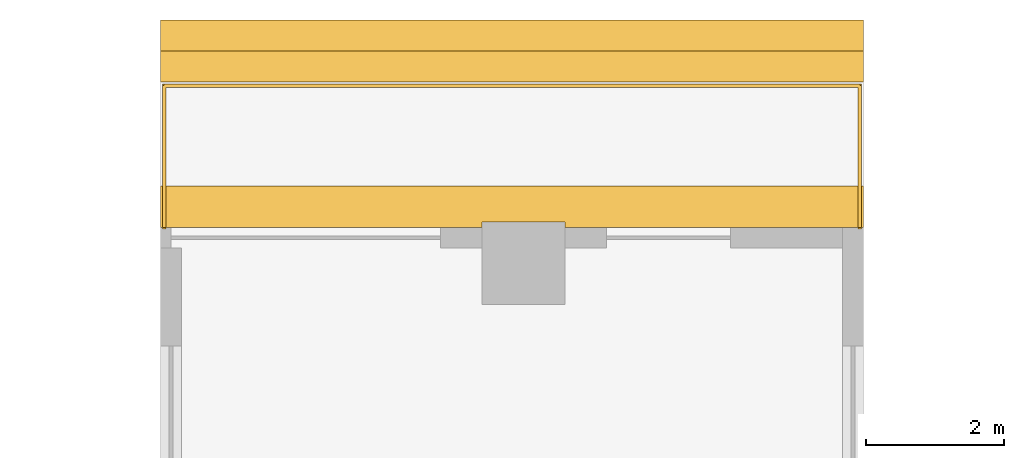
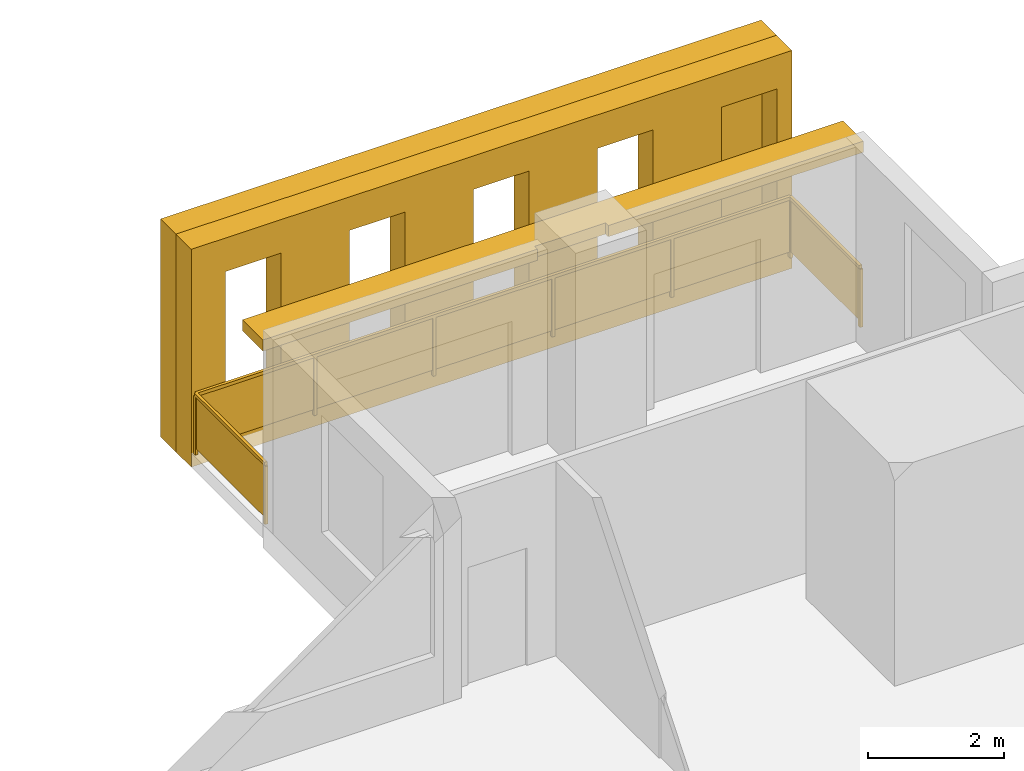
# One storey, part 16 of 16: 3 shading devices, 1 railing.
"""IFC4 building model written with IfcOpenShell, lengths in metres."""

import ifcopenshell
import ifcopenshell.guid

model = None  # the IFC model being written
_history = None  # IfcOwnerHistory: only IFC2X3 demands one
_inside = {}  # id of a spatial element -> (the spatial element, [elements in it])
_under = {}  # id of a project, library or spatial element -> (it, [spatial elements below it])
_declared = {}  # id of a project -> (the project, [libraries it declares])
_typed = {}  # id of a type object -> (the type object, [elements of that type])
_made_of = {}  # id of a material, layer set ... -> (it, [elements and type objects made of it])


def new_model(schema):
    """Start an empty IFC model of exactly this schema.

    Asked for "IFC4X3", IfcOpenShell would pick the latest addendum, in which some entities
    have other attributes; the version numbers below select the first issue.
    IFC2X3 requires an IfcOwnerHistory on every rooted entity: one is made here for all.
    """
    global model, _history
    if schema == "IFC4X3":
        model = ifcopenshell.file(schema_version=(4, 3, 0, 0))
    else:
        model = ifcopenshell.file(schema=schema)
    _inside.clear()
    _under.clear()
    _declared.clear()
    _typed.clear()
    _made_of.clear()
    _history = None
    if model.schema == "IFC2X3":
        org = make("IfcOrganization", Name="unknown")
        user = make(
            "IfcPersonAndOrganization",
            ThePerson=make("IfcPerson", FamilyName="unknown"),
            TheOrganization=org,
        )
        app = make(
            "IfcApplication",
            ApplicationDeveloper=org,
            Version="unknown",
            ApplicationFullName="unknown",
            ApplicationIdentifier="unknown",
        )
        _history = make(
            "IfcOwnerHistory",
            OwningUser=user,
            OwningApplication=app,
            ChangeAction="ADDED",
            CreationDate=0,
        )
    return model


def make(cls, **values):
    """One entity of the class cls with the attributes given. An attribute that is None is left unset."""
    return model.create_entity(
        cls, **{name: value for name, value in values.items() if value is not None}
    )


def rooted(cls, **values):
    """An entity with a GlobalId (a new one), such as an element, a storey or a relation."""
    return make(cls, GlobalId=ifcopenshell.guid.new(), OwnerHistory=_history, **values)


def si_unit(unit_type, name, prefix=None):
    """IfcSIUnit, for example si_unit("LENGTHUNIT", "METRE", prefix="MILLI")."""
    return make("IfcSIUnit", UnitType=unit_type, Prefix=prefix, Name=name)


def assignment(units):
    """IfcUnitAssignment: the units of a project."""
    return None if units is None else make("IfcUnitAssignment", Units=units)


def point(xyz):
    """IfcCartesianPoint."""
    return None if xyz is None else make("IfcCartesianPoint", Coordinates=xyz)


def direction(xyz):
    """IfcDirection."""
    return None if xyz is None else make("IfcDirection", DirectionRatios=xyz)


def frame(location, z_axis=None, x_axis=None):
    """IfcAxis2Placement3D, a coordinate frame: its origin and axes. An axis left out is left unset."""
    return make(
        "IfcAxis2Placement3D",
        Location=point(location),
        Axis=direction(z_axis),
        RefDirection=direction(x_axis),
    )


def frame_2d(location, x_axis=None):
    """IfcAxis2Placement2D, a coordinate frame in the plane: its origin and x axis."""
    return make(
        "IfcAxis2Placement2D", Location=point(location), RefDirection=direction(x_axis)
    )


def origin():
    """The frame at (0, 0, 0) with its axes left unset."""
    return frame((0.0, 0.0, 0.0))


def origin_2d():
    """The frame at (0, 0) in the plane with its x axis left unset."""
    return frame_2d((0.0, 0.0))


def place(relative_to, where):
    """IfcLocalPlacement: puts the frame where relative to a parent placement (None: the world)."""
    return make(
        "IfcLocalPlacement", PlacementRelTo=relative_to, RelativePlacement=where
    )


def context(
    kind, dimensions, precision=None, world=None, true_north=None, identifier=None
):
    """IfcGeometricRepresentationContext, for example the 3D "Model" context."""
    return make(
        "IfcGeometricRepresentationContext",
        ContextIdentifier=identifier,
        ContextType=kind,
        CoordinateSpaceDimension=dimensions,
        Precision=precision,
        WorldCoordinateSystem=world,
        TrueNorth=true_north,
    )


def subcontext(parent, identifier, kind, view, scale=None):
    """IfcGeometricRepresentationSubContext, for example "Body" below "Model"."""
    return make(
        "IfcGeometricRepresentationSubContext",
        ContextIdentifier=identifier,
        ContextType=kind,
        ParentContext=parent,
        TargetScale=scale,
        TargetView=view,
    )


def project(units=None, contexts=None):
    """IfcProject with its units and contexts."""
    return rooted(
        "IfcProject",
        Name="project",
        RepresentationContexts=contexts,
        UnitsInContext=assignment(units),
    )


def spatial(cls, under=None, at=None, **own):
    """A site, building, storey or space (cls), placed at a placement, below another one or the project."""
    s = rooted(cls, ObjectPlacement=at, **own)
    if under is not None:
        _under.setdefault(under.id(), (under, []))[1].append(s)
    return s


def polyline(points):
    """IfcPolyline through the points."""
    return make("IfcPolyline", Points=[point(p) for p in points])


def profile(cls, at=None, kind="AREA", **sizes):
    """A parametric profile (cls). Its sizes go by their IFC names, for example OverallWidth=200.0."""
    return make(cls, ProfileType=kind, Position=at, **sizes)


def rectangle(**sizes):
    """IfcRectangleProfileDef."""
    return profile("IfcRectangleProfileDef", **sizes)


def outline(outer, holes=None, kind="AREA"):
    """IfcArbitraryClosedProfileDef: a profile drawn as a closed curve; with holes, ...WithVoids."""
    if holes is None:
        return make("IfcArbitraryClosedProfileDef", ProfileType=kind, OuterCurve=outer)
    return make(
        "IfcArbitraryProfileDefWithVoids",
        ProfileType=kind,
        OuterCurve=outer,
        InnerCurves=holes,
    )


def extrude(swept, where, along, depth):
    """IfcExtrudedAreaSolid: the profile swept, set in the frame where, extruded along a direction by depth."""
    return make(
        "IfcExtrudedAreaSolid",
        SweptArea=swept,
        Position=where,
        ExtrudedDirection=direction(along),
        Depth=depth,
    )


def shape(context_of_items, identifier, shape_type, items):
    """IfcShapeRepresentation: the items that make up one representation, for example the "Body"."""
    return make(
        "IfcShapeRepresentation",
        ContextOfItems=context_of_items,
        RepresentationIdentifier=identifier,
        RepresentationType=shape_type,
        Items=items,
    )


def material(Name=None, Category=None):
    """IfcMaterial."""
    return make("IfcMaterial", Name=Name, Category=Category)


def layer(
    of_material, thickness, ventilated=None, Name=None, Category=None, Priority=None
):
    """IfcMaterialLayer: one layer of a wall or slab, of a material (None: an air gap)."""
    return make(
        "IfcMaterialLayer",
        Material=of_material,
        LayerThickness=thickness,
        IsVentilated=ventilated,
        Name=Name,
        Category=Category,
        Priority=Priority,
    )


def layer_set(layers, Name=None):
    """IfcMaterialLayerSet."""
    return make("IfcMaterialLayerSet", MaterialLayers=layers, LayerSetName=Name)


def made_of(thing, what):
    """Note that an element or type object is made of a material, layer set ...; save() writes the relation."""
    if what is not None:
        _made_of.setdefault(what.id(), (what, []))[1].append(thing)
    return thing


def type_object(cls, material=None, **own):
    """A type object (cls), such as IfcWallType, which elements share."""
    return made_of(rooted(cls, **own), material)


def element(
    cls,
    number,
    at=None,
    inside=None,
    cuts=None,
    type_object=None,
    material=None,
    context=None,
    identifier="Body",
    shape_type=None,
    held_by="IfcProductDefinitionShape",
    body=None,
    shapes=None,
    **own,
):
    """One element of the class cls, such as IfcWall. Its Tag is "e" and its number.

    at: its placement. inside: the storey or other place that contains it. cuts: it is an
    opening in that element (IfcRelVoidsElement). A single representation is given by context,
    identifier, shape_type and body (its items); several are given by shapes. held_by: the class
    of the entity that holds the representations. save() writes the other relations.
    """
    e = rooted(cls, Tag="e%d" % number, ObjectPlacement=at, **own)
    if body is not None:
        shapes = [shape(context, identifier, shape_type, body)]
    if shapes is not None:
        e.Representation = make(held_by, Representations=shapes)
    if inside is not None:
        _inside.setdefault(inside.id(), (inside, []))[1].append(e)
    if cuts is not None:
        rooted(
            "IfcRelVoidsElement", RelatingBuildingElement=cuts, RelatedOpeningElement=e
        )
    if type_object is not None:
        _typed.setdefault(type_object.id(), (type_object, []))[1].append(e)
    return made_of(e, material)


def aggregate(whole, parts):
    """IfcRelAggregates: a whole, such as a stair, and the parts it consists of."""
    return rooted("IfcRelAggregates", RelatingObject=whole, RelatedObjects=parts)


def save(model, path):
    """Write the relations noted so far, then the file.

    IfcRelAggregates (storeys below a building ...), IfcRelContainedInSpatialStructure (elements
    in a storey), IfcRelDefinesByType, IfcRelAssociatesMaterial and IfcRelDeclares: one each for
    every whole, place, type object, material and project.
    """
    for whole, parts in _under.values():
        aggregate(whole, parts)
    for where, things in _inside.values():
        rooted(
            "IfcRelContainedInSpatialStructure",
            RelatedElements=things,
            RelatingStructure=where,
        )
    for kind, things in _typed.values():
        rooted("IfcRelDefinesByType", RelatedObjects=things, RelatingType=kind)
    for what, things in _made_of.values():
        rooted("IfcRelAssociatesMaterial", RelatedObjects=things, RelatingMaterial=what)
    for by, libraries in _declared.values():
        rooted("IfcRelDeclares", RelatingContext=by, RelatedDefinitions=libraries)
    model.write(path)


model = new_model("IFC4")

# Units and contexts
model_context = context("Model", 3, precision=1e-05, world=origin(), true_north=direction((0.0, 1.0)))
body_context = subcontext(model_context, "Body", "Model", "MODEL_VIEW")
ifc_project = project(units=[si_unit("LENGTHUNIT", "METRE"), si_unit("AREAUNIT", "SQUARE_METRE"), si_unit("VOLUMEUNIT", "CUBIC_METRE"), si_unit("PLANEANGLEUNIT", "RADIAN"), si_unit("MASSUNIT", "GRAM", prefix="KILO")], contexts=[model_context])

# Site, building, storey
site_placement = place(None, origin())
site = spatial("IfcSite", under=ifc_project, at=site_placement, CompositionType="ELEMENT")
building_placement = place(site_placement, origin())
building = spatial("IfcBuilding", under=site, at=building_placement, Name="Khepri Terraces", CompositionType="ELEMENT")
storey_placement = place(building_placement, frame((0.0, 0.0, 168.89990234375)))
storey = spatial("IfcBuildingStorey", under=building, at=storey_placement, Name="L40", CompositionType="ELEMENT", Elevation=168.89990234375)

# Railing
ifc_material_1 = material(Name="Stainless steel grade 316", Category="steel")
railing_type = type_object("IfcRailingType", Name="GRD-BAL-1100", PredefinedType="GUARDRAIL", material=ifc_material_1)
railing_placement = place(storey_placement, frame((21.669921875, 25.719970703125, 0.0)))
element("IfcRailing", 1, at=railing_placement, inside=storey, type_object=railing_type, Name="Balcony guard L40 N", PredefinedType="GUARDRAIL", context=body_context, shape_type="SweptSolid", body=[
    extrude(rectangle(XDim=0.050048828125, YDim=0.06005859375, at=origin_2d()), frame((0.0, 0.0, 1.070068359375), z_axis=(0.0, 1.0, 0.0), x_axis=(-1.0, 0.0, 0.0)), (0.0, 0.0, 1.0), 2.050048828125),
    extrude(rectangle(XDim=2.0, YDim=0.011962890625, at=origin_2d()), frame((0.0, 1.02490234375, 0.10009765625), z_axis=(0.0, 0.0, 1.0), x_axis=(0.0, 1.0, 0.0)), (0.0, 0.0, 1.0), 0.93994140625),
    extrude(rectangle(XDim=0.050048828125, YDim=0.06005859375, at=origin_2d()), frame((0.0, 2.050048828125, 1.070068359375), z_axis=(-1.0, 0.0, 0.0), x_axis=(0.0, -1.0, 0.0)), (0.0, 0.0, 1.0), 10.06982421875),
    extrude(rectangle(XDim=1.9638671875, YDim=0.011962890625, at=origin_2d()), frame((-1.007080078125, 2.050048828125, 0.10009765625), z_axis=(0.0, 0.0, 1.0), x_axis=(-1.0, 0.0, 0.0)), (0.0, 0.0, 1.0), 0.93994140625),
    extrude(rectangle(XDim=1.9638671875, YDim=0.011962890625, at=origin_2d()), frame((-3.02099609375, 2.050048828125, 0.10009765625), z_axis=(0.0, 0.0, 1.0), x_axis=(-1.0, 0.0, 0.0)), (0.0, 0.0, 1.0), 0.93994140625),
    extrude(rectangle(XDim=1.9638671875, YDim=0.011962890625, at=origin_2d()), frame((-5.034912109375, 2.050048828125, 0.10009765625), z_axis=(0.0, 0.0, 1.0), x_axis=(-1.0, 0.0, 0.0)), (0.0, 0.0, 1.0), 0.93994140625),
    extrude(rectangle(XDim=1.9638671875, YDim=0.011962890625, at=origin_2d()), frame((-7.048828125, 2.050048828125, 0.10009765625), z_axis=(0.0, 0.0, 1.0), x_axis=(-1.0, 0.0, 0.0)), (0.0, 0.0, 1.0), 0.93994140625),
    extrude(rectangle(XDim=1.9638671875, YDim=0.011962890625, at=origin_2d()), frame((-9.062744140625, 2.050048828125, 0.10009765625), z_axis=(0.0, 0.0, 1.0), x_axis=(-1.0, 0.0, 0.0)), (0.0, 0.0, 1.0), 0.93994140625),
    extrude(rectangle(XDim=0.050048828125, YDim=0.06005859375, at=origin_2d()), frame((-10.06982421875, 2.050048828125, 1.070068359375), z_axis=(0.0, -1.0, 0.0), x_axis=(1.0, 0.0, 0.0)), (0.0, 0.0, 1.0), 2.050048828125),
    extrude(rectangle(XDim=2.0, YDim=0.011962890625, at=origin_2d()), frame((-10.06982421875, 1.02490234375, 0.10009765625), z_axis=(0.0, 0.0, 1.0), x_axis=(0.0, -1.0, 0.0)), (0.0, 0.0, 1.0), 0.93994140625),
    extrude(rectangle(XDim=0.050048828125, YDim=0.050048828125, at=origin_2d()), origin(), (0.0, 0.0, 1.0), 1.0400390625),
    extrude(rectangle(XDim=0.050048828125, YDim=0.050048828125, at=origin_2d()), frame((0.0, 2.050048828125, 0.0)), (0.0, 0.0, 1.0), 1.0400390625),
    extrude(rectangle(XDim=0.050048828125, YDim=0.050048828125, at=origin_2d()), frame((-2.013916015625, 2.050048828125, 0.0)), (0.0, 0.0, 1.0), 1.0400390625),
    extrude(rectangle(XDim=0.050048828125, YDim=0.050048828125, at=origin_2d()), frame((-4.02783203125, 2.050048828125, 0.0)), (0.0, 0.0, 1.0), 1.0400390625),
    extrude(rectangle(XDim=0.050048828125, YDim=0.050048828125, at=origin_2d()), frame((-6.0419921875, 2.050048828125, 0.0)), (0.0, 0.0, 1.0), 1.0400390625),
    extrude(rectangle(XDim=0.050048828125, YDim=0.050048828125, at=origin_2d()), frame((-8.055908203125, 2.050048828125, 0.0)), (0.0, 0.0, 1.0), 1.0400390625),
    extrude(rectangle(XDim=0.050048828125, YDim=0.050048828125, at=origin_2d()), frame((-10.06982421875, 2.050048828125, 0.0)), (0.0, 0.0, 1.0), 1.0400390625),
    extrude(rectangle(XDim=0.050048828125, YDim=0.050048828125, at=origin_2d()), frame((-10.06982421875, 0.0, 0.0)), (0.0, 0.0, 1.0), 1.0400390625),
])

# Shading devices
ifc_material_2 = material(Name="Precast concrete C50/60 warm stone", Category="masonry")
shading_device_type_1 = type_object("IfcShadingDeviceType", Name="SCR-CELL-INNER-450", PredefinedType="USERDEFINED", material=ifc_material_2)
shading_device_1_placement = place(storey_placement, frame((21.719970703125, 27.820068359375, -0.25), z_axis=(0.0, 1.0, 0.0), x_axis=(-1.0, 0.0, 0.0)))
element("IfcShadingDevice", 2, at=shading_device_1_placement, inside=storey, type_object=shading_device_type_1, Name="Cell screen L40 N in", ObjectType="SCREEN", PredefinedType="USERDEFINED", context=body_context, shape_type="SweptSolid", body=[
    extrude(outline(polyline([(0.0, 0.0), (10.169921875, 0.0), (10.169921875, 3.89990234375), (0.0, 3.89990234375), (0.0, 0.0)]), holes=[polyline([(0.24755859375, 0.699951171875), (1.1923828125, 0.699951171875), (1.1923828125, 3.300048828125), (0.24755859375, 3.300048828125), (0.24755859375, 0.699951171875)]), polyline([(2.347412109375, 0.699951171875), (3.29248046875, 0.699951171875), (3.29248046875, 3.300048828125), (2.347412109375, 3.300048828125), (2.347412109375, 0.699951171875)]), polyline([(4.447509765625, 0.699951171875), (5.392578125, 0.699951171875), (5.392578125, 3.300048828125), (4.447509765625, 3.300048828125), (4.447509765625, 0.699951171875)]), polyline([(6.547607421875, 0.699951171875), (7.492431640625, 0.699951171875), (7.492431640625, 3.300048828125), (6.547607421875, 3.300048828125), (6.547607421875, 0.699951171875)]), polyline([(8.6474609375, 0.699951171875), (9.592529296875, 0.699951171875), (9.592529296875, 3.300048828125), (8.6474609375, 3.300048828125), (8.6474609375, 0.699951171875)])]), origin(), (0.0, 0.0, 1.0), 0.449951171875),
])
shading_device_type_2 = type_object("IfcShadingDeviceType", Name="SCR-CELL-OUTER-450", PredefinedType="USERDEFINED", material=ifc_material_2)
shading_device_2_placement = place(storey_placement, frame((21.719970703125, 28.27001953125, -0.25), z_axis=(0.0, 1.0, 0.0), x_axis=(-1.0, 0.0, 0.0)))
element("IfcShadingDevice", 3, at=shading_device_2_placement, inside=storey, type_object=shading_device_type_2, Name="Cell screen L40 N out", ObjectType="SCREEN", PredefinedType="USERDEFINED", context=body_context, shape_type="SweptSolid", body=[
    extrude(outline(polyline([(0.0, 0.0), (10.169921875, 0.0), (10.169921875, 3.89990234375), (0.0, 3.89990234375), (0.0, 0.0)]), holes=[polyline([(1.99755859375, 0.449951171875), (3.642578125, 0.449951171875), (3.642578125, 3.550048828125), (1.99755859375, 3.550048828125), (1.99755859375, 0.449951171875)]), polyline([(4.097412109375, 0.449951171875), (5.742431640625, 0.449951171875), (5.742431640625, 3.550048828125), (4.097412109375, 3.550048828125), (4.097412109375, 0.449951171875)]), polyline([(6.197509765625, 0.449951171875), (7.842529296875, 0.449951171875), (7.842529296875, 3.550048828125), (6.197509765625, 3.550048828125), (6.197509765625, 0.449951171875)]), polyline([(8.297607421875, 0.449951171875), (9.9423828125, 0.449951171875), (9.9423828125, 3.550048828125), (8.297607421875, 3.550048828125), (8.297607421875, 0.449951171875)])]), origin(), (0.0, 0.0, 1.0), 0.449951171875),
])
ifc_layer = layer(ifc_material_2, 0.199951171875, Name="Precast concrete C50/60 warm stone", Category="masonry")
ifc_layer_set = layer_set([ifc_layer], Name="Precast concrete C50/60 warm stone")
shading_device_type_3 = type_object("IfcShadingDeviceType", Name="SSH-BAND-STONE-200-N", PredefinedType="USERDEFINED", material=ifc_layer_set)
shading_device_3_placement = place(storey_placement, frame((0.0, 0.0, 3.10009765625)))
element("IfcShadingDevice", 4, at=shading_device_3_placement, inside=storey, type_object=shading_device_type_3, Name="Sunshade band L40 N", ObjectType="SUNSHADE", PredefinedType="USERDEFINED", context=body_context, shape_type="SweptSolid", body=[
    extrude(outline(polyline([(17.39990234375, 25.719970703125), (21.719970703125, 25.719970703125), (21.719970703125, 26.320068359375), (11.550048828125, 26.320068359375), (11.550048828125, 25.719970703125), (16.199951171875, 25.719970703125), (16.199951171875, 25.800048828125), (17.39990234375, 25.800048828125), (17.39990234375, 25.719970703125)])), origin(), (0.0, 0.0, 1.0), 0.199951171875),
])

save(model, "model.ifc")
